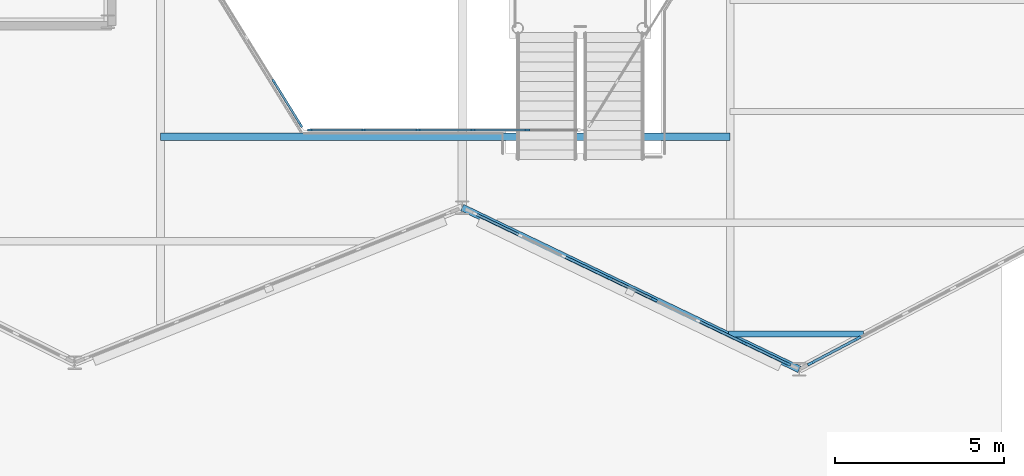
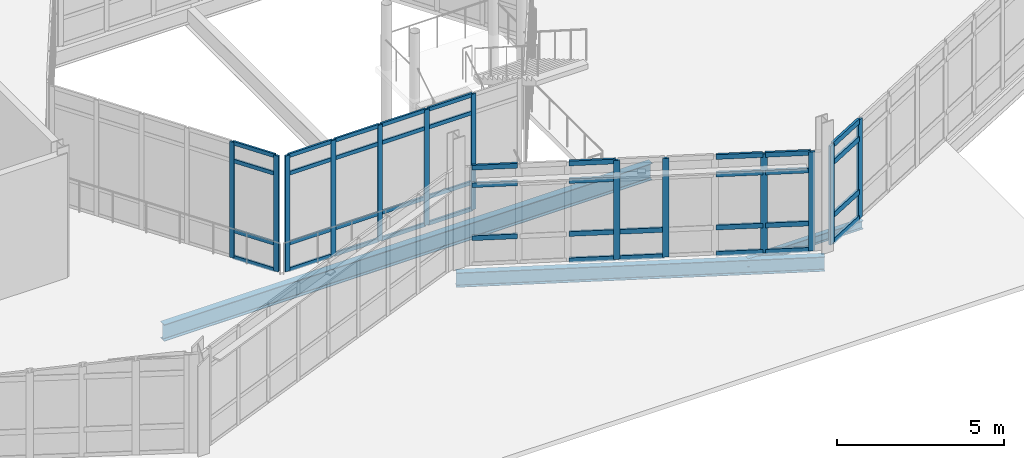
# One storey, part 38 of 134: 54 members, 3 beams, 4 elements without a shape of their own.
"""IFC4 building model written with IfcOpenShell, lengths in metres."""

from ifc_helpers import new_model, si_unit, direction, frame, origin, origin_2d, place, context, subcontext, project, spatial, rectangle, i_section, extrude, material, material_profile, profile_set, type_object, element, aggregate, save


model = new_model("IFC4")

# Units and contexts
model_context = context("Model", 3, precision=1e-05, world=origin(), true_north=direction((0.0, 1.0)))
body_context = subcontext(model_context, "Body", "Model", "MODEL_VIEW")
ifc_project = project(units=[si_unit("LENGTHUNIT", "METRE"), si_unit("AREAUNIT", "SQUARE_METRE"), si_unit("VOLUMEUNIT", "CUBIC_METRE"), si_unit("PLANEANGLEUNIT", "RADIAN"), si_unit("MASSUNIT", "GRAM", prefix="KILO")], contexts=[model_context])

# Site, building, storey
site_placement = place(None, origin())
site = spatial("IfcSite", under=ifc_project, at=site_placement, CompositionType="ELEMENT")
building_placement = place(site_placement, origin())
building = spatial("IfcBuilding", under=site, at=building_placement, Name="Tameran Prism Museum", CompositionType="ELEMENT")
storey_placement = place(building_placement, frame((0.0, 0.0, 5.39990234375)))
storey = spatial("IfcBuildingStorey", under=building, at=storey_placement, Name="L01", CompositionType="ELEMENT", Elevation=5.39990234375)

# Beams
ifc_material_1 = material(Name="Steel Grade 300PLUS (300 MPa)", Category="steel")
ifc_material_profile_1 = material_profile(ifc_material_1, i_section(OverallWidth=0.1650390625, OverallDepth=0.303955078125, WebThickness=0.006103515625, FlangeThickness=0.01025390625, FilletRadius=0.011474609375, at=origin_2d()))
ifc_profile_set_1 = profile_set([ifc_material_profile_1])
beam_type_1 = type_object("IfcBeamType", Name="BM-J310B", PredefinedType="JOIST", material=ifc_profile_set_1)
beam_1_placement = place(storey_placement, frame((85.405029296875, 23.64990234375, -0.351806640625), z_axis=(1.0, 0.0, 0.0), x_axis=(0.0, 1.0, 0.0)))
element("IfcBeam", 1, at=beam_1_placement, inside=storey, type_object=beam_type_1, Name="Floor Beam BM-0543", PredefinedType="JOIST", context=body_context, shape_type="SweptSolid", body=[
    extrude(i_section(OverallWidth=0.1650390625, OverallDepth=0.303955078125, WebThickness=0.006103515625, FlangeThickness=0.01025390625, FilletRadius=0.011474609375, at=origin_2d()), origin(), (0.0, 0.0, 1.0), 3.9970703125),
])
ifc_material_2 = material(Name="Steel Grade 300PLUS (300 MPa)", Category="steel")
ifc_material_profile_2 = material_profile(ifc_material_2, i_section(OverallWidth=0.208984375, OverallDepth=0.532958984375, WebThickness=0.01025390625, FlangeThickness=0.015625, FilletRadius=0.013916015625, at=origin_2d()))
ifc_profile_set_2 = profile_set([ifc_material_profile_2])
beam_type_2 = type_object("IfcBeamType", Name="BM-SP530A", PredefinedType="SPANDREL", material=ifc_profile_set_2)
beam_2_placement = place(storey_placement, frame((77.5, 27.39990234375, -0.46630859375), z_axis=(0.901529926538, -0.432716756732, 0.0), x_axis=(0.432716756732, 0.901529926538, 0.0)))
element("IfcBeam", 2, at=beam_2_placement, inside=storey, type_object=beam_type_2, Name="Perimeter Spandrel SP-0351", PredefinedType="SPANDREL", context=body_context, shape_type="SweptSolid", body=[
    extrude(i_section(OverallWidth=0.208984375, OverallDepth=0.532958984375, WebThickness=0.01025390625, FlangeThickness=0.015625, FilletRadius=0.013916015625, at=origin_2d()), origin(), (0.0, 0.0, 1.0), 11.09228515625),
])
ifc_material_3 = material(Name="Steel Grade 300PLUS (300 MPa)", Category="steel")
ifc_material_profile_3 = material_profile(ifc_material_3, i_section(OverallWidth=0.22900390625, OverallDepth=0.612060546875, WebThickness=0.011962890625, FlangeThickness=0.01953125, FilletRadius=0.013916015625, at=origin_2d()))
ifc_profile_set_3 = profile_set([ifc_material_profile_3])
beam_type_3 = type_object("IfcBeamType", Name="BM-UB610A", PredefinedType="BEAM", material=ifc_profile_set_3)
beam_3_placement = place(storey_placement, frame((68.550048828125, 29.5, -0.5458984375), z_axis=(1.0, 0.0, 0.0), x_axis=(0.0, 1.0, 0.0)))
element("IfcBeam", 3, at=beam_3_placement, inside=storey, type_object=beam_type_3, Name="Atrium Transverse Trimmer ATE-0494", PredefinedType="BEAM", context=body_context, shape_type="SweptSolid", body=[
    extrude(i_section(OverallWidth=0.22900390625, OverallDepth=0.612060546875, WebThickness=0.011962890625, FlangeThickness=0.01953125, FilletRadius=0.013916015625, at=origin_2d()), origin(), (0.0, 0.0, 1.0), 16.89990234375),
])

# Curtain wall, members
ifc_material_4 = material(Name="Anodised Aluminium 6063-T6 and Cyclone Solar Glass", Category="aluminium")
curtain_wall_type_1 = type_object("IfcCurtainWallType", Name="CW-ATR-769x424", PredefinedType="USERDEFINED", material=ifc_material_4)
curtain_wall_1_placement = place(storey_placement, origin())
curtain_wall_1 = element("IfcCurtainWall", 4, at=curtain_wall_1_placement, inside=storey, type_object=curtain_wall_type_1, Name="Unitised Curtain Wall CW-001", ObjectType="UNITISED CURTAIN WALL", PredefinedType="USERDEFINED")
ifc_material_5 = material(Name="Anodised Aluminium Alloy 6063-T6", Category="aluminium")
ifc_material_profile_4 = material_profile(ifc_material_5, rectangle(XDim=0.06494140625, YDim=0.159912109375, at=origin_2d()))
ifc_profile_set_4 = profile_set([ifc_material_profile_4])
member_type_1 = type_object("IfcMemberType", Name="CW-MUL-A", PredefinedType="MULLION", material=ifc_profile_set_4)
member_1_placement = place(storey_placement, frame((71.91259765625, 31.13671875, 0.0), z_axis=(0.0, 0.0, 1.0), x_axis=(0.850791158897, 0.525503952357, 0.0)))
member_1 = element("IfcMember", 5, at=member_1_placement, type_object=member_type_1, Name="CW-001 mullion 5", PredefinedType="MULLION", context=body_context, shape_type="SweptSolid", body=[
    extrude(rectangle(XDim=0.06494140625, YDim=0.159912109375, at=origin_2d()), origin(), (0.0, 0.0, 1.0), 4.239990234375),
])
member_2_placement = place(storey_placement, frame((72.703857421875, 29.855712890625, 0.0), z_axis=(0.0, 0.0, 1.0), x_axis=(0.850791158897, 0.525503952357, 0.0)))
member_2 = element("IfcMember", 6, at=member_2_placement, type_object=member_type_1, Name="CW-001 mullion 6", PredefinedType="MULLION", context=body_context, shape_type="SweptSolid", body=[
    extrude(rectangle(XDim=0.06494140625, YDim=0.159912109375, at=origin_2d()), origin(), (0.0, 0.0, 1.0), 4.239990234375),
])

ifc_material_6 = material(Name="Anodised Aluminium 6063-T6 and Cyclone Solar Glass", Category="aluminium")
curtain_wall_type_2 = type_object("IfcCurtainWallType", Name="CW-ATR-810x424", PredefinedType="USERDEFINED", material=ifc_material_6)
curtain_wall_2_placement = place(storey_placement, origin())
curtain_wall_2 = element("IfcCurtainWall", 7, at=curtain_wall_2_placement, inside=storey, type_object=curtain_wall_type_2, Name="Unitised Curtain Wall CW-002", ObjectType="UNITISED CURTAIN WALL", PredefinedType="USERDEFINED")
member_3_placement = place(storey_placement, frame((72.982421875, 29.699951171875, 0.0), z_axis=(0.0, 0.0, 1.0), x_axis=(0.0, 1.0, 0.0)))
member_3 = element("IfcMember", 8, at=member_3_placement, type_object=member_type_1, Name="CW-002 mullion 1", PredefinedType="MULLION", context=body_context, shape_type="SweptSolid", body=[
    extrude(rectangle(XDim=0.06494140625, YDim=0.159912109375, at=origin_2d()), origin(), (0.0, 0.0, 1.0), 4.239990234375),
])
member_4_placement = place(storey_placement, frame((74.570068359375, 29.699951171875, 0.0), z_axis=(0.0, 0.0, 1.0), x_axis=(0.0, 1.0, 0.0)))
member_4 = element("IfcMember", 9, at=member_4_placement, type_object=member_type_1, Name="CW-002 mullion 2", PredefinedType="MULLION", context=body_context, shape_type="SweptSolid", body=[
    extrude(rectangle(XDim=0.06494140625, YDim=0.159912109375, at=origin_2d()), origin(), (0.0, 0.0, 1.0), 4.239990234375),
])
member_5_placement = place(storey_placement, frame((76.18994140625, 29.699951171875, 0.0), z_axis=(0.0, 0.0, 1.0), x_axis=(0.0, 1.0, 0.0)))
member_5 = element("IfcMember", 10, at=member_5_placement, type_object=member_type_1, Name="CW-002 mullion 3", PredefinedType="MULLION", context=body_context, shape_type="SweptSolid", body=[
    extrude(rectangle(XDim=0.06494140625, YDim=0.159912109375, at=origin_2d()), origin(), (0.0, 0.0, 1.0), 4.239990234375),
])
member_6_placement = place(storey_placement, frame((77.81005859375, 29.699951171875, 0.0), z_axis=(0.0, 0.0, 1.0), x_axis=(0.0, 1.0, 0.0)))
member_6 = element("IfcMember", 11, at=member_6_placement, type_object=member_type_1, Name="CW-002 mullion 4", PredefinedType="MULLION", context=body_context, shape_type="SweptSolid", body=[
    extrude(rectangle(XDim=0.06494140625, YDim=0.159912109375, at=origin_2d()), origin(), (0.0, 0.0, 1.0), 4.239990234375),
])
member_7_placement = place(storey_placement, frame((79.429931640625, 29.699951171875, 0.0), z_axis=(0.0, 0.0, 1.0), x_axis=(0.0, 1.0, 0.0)))
member_7 = element("IfcMember", 12, at=member_7_placement, type_object=member_type_1, Name="CW-002 mullion 5", PredefinedType="MULLION", context=body_context, shape_type="SweptSolid", body=[
    extrude(rectangle(XDim=0.06494140625, YDim=0.159912109375, at=origin_2d()), origin(), (0.0, 0.0, 1.0), 4.239990234375),
])

ifc_material_7 = material(Name="Anodised Aluminium 6063-T6 and Cyclone Solar Glass", Category="aluminium")
curtain_wall_type_3 = type_object("IfcCurtainWallType", Name="CW-FAC-1033x362", PredefinedType="USERDEFINED", material=ifc_material_7)
curtain_wall_3_placement = place(storey_placement, origin())
curtain_wall_3 = element("IfcCurtainWall", 13, at=curtain_wall_3_placement, inside=storey, type_object=curtain_wall_type_3, Name="Unitised Curtain Wall CW-065", ObjectType="UNITISED CURTAIN WALL", PredefinedType="USERDEFINED")
ifc_material_8 = material(Name="Anodised Aluminium Alloy 6063-T6", Category="aluminium")
ifc_material_profile_5 = material_profile(ifc_material_8, rectangle(XDim=0.074951171875, YDim=0.199951171875, at=origin_2d()))
ifc_profile_set_5 = profile_set([ifc_material_profile_5])
member_type_2 = type_object("IfcMemberType", Name="CW-MUL-C", PredefinedType="MULLION", material=ifc_profile_set_5)
member_8_placement = place(storey_placement, frame((87.150146484375, 22.767333984375, 0.0), z_axis=(0.0, 0.0, 1.0), x_axis=(-0.432831753637, -0.901474721245, 0.0)))
member_8 = element("IfcMember", 14, at=member_8_placement, type_object=member_type_2, Name="CW-065 mullion 1", PredefinedType="MULLION", context=body_context, shape_type="SweptSolid", body=[
    extrude(rectangle(XDim=0.074951171875, YDim=0.199951171875, at=origin_2d()), origin(), (0.0, 0.0, 1.0), 3.6201171875),
])
member_9_placement = place(storey_placement, frame((85.853515625, 23.389892578125, 0.0), z_axis=(0.0, 0.0, 1.0), x_axis=(-0.432831753637, -0.901474721245, 0.0)))
member_9 = element("IfcMember", 15, at=member_9_placement, type_object=member_type_2, Name="CW-065 mullion 2", PredefinedType="MULLION", context=body_context, shape_type="SweptSolid", body=[
    extrude(rectangle(XDim=0.074951171875, YDim=0.199951171875, at=origin_2d()), origin(), (0.0, 0.0, 1.0), 3.6201171875),
])
member_10_placement = place(storey_placement, frame((83.1923828125, 24.66748046875, 0.0), z_axis=(0.0, 0.0, 1.0), x_axis=(-0.432831753637, -0.901474721245, 0.0)))
member_10 = element("IfcMember", 16, at=member_10_placement, type_object=member_type_2, Name="CW-065 mullion 4", PredefinedType="MULLION", context=body_context, shape_type="SweptSolid", body=[
    extrude(rectangle(XDim=0.074951171875, YDim=0.199951171875, at=origin_2d()), origin(), (0.0, 0.0, 1.0), 3.6201171875),
])
member_11_placement = place(storey_placement, frame((81.86181640625, 25.306396484375, 0.0), z_axis=(0.0, 0.0, 1.0), x_axis=(-0.432831753637, -0.901474721245, 0.0)))
member_11 = element("IfcMember", 17, at=member_11_placement, type_object=member_type_2, Name="CW-065 mullion 5", PredefinedType="MULLION", context=body_context, shape_type="SweptSolid", body=[
    extrude(rectangle(XDim=0.074951171875, YDim=0.199951171875, at=origin_2d()), origin(), (0.0, 0.0, 1.0), 3.6201171875),
])

ifc_material_9 = material(Name="Anodised Aluminium 6063-T6 and Cyclone Solar Glass", Category="aluminium")
curtain_wall_type_4 = type_object("IfcCurtainWallType", Name="CW-FAC-1123x362", PredefinedType="USERDEFINED", material=ifc_material_9)
curtain_wall_4_placement = place(storey_placement, origin())
curtain_wall_4 = element("IfcCurtainWall", 18, at=curtain_wall_4_placement, inside=storey, type_object=curtain_wall_type_4, Name="Unitised Curtain Wall CW-066", ObjectType="UNITISED CURTAIN WALL", PredefinedType="USERDEFINED")
ifc_material_10 = material(Name="Anodised Aluminium Alloy 6063-T6", Category="aluminium")
ifc_material_profile_6 = material_profile(ifc_material_10, rectangle(XDim=0.080078125, YDim=0.219970703125, at=origin_2d()))
ifc_profile_set_6 = profile_set([ifc_material_profile_6])
member_type_3 = type_object("IfcMemberType", Name="CW-MUL-D", PredefinedType="MULLION", material=ifc_profile_set_6)
member_12_placement = place(storey_placement, frame((89.2275390625, 23.512451171875, 0.0), z_axis=(0.0, 0.0, 1.0), x_axis=(0.467155185438, -0.884175340483, 0.0)))
member_12 = element("IfcMember", 19, at=member_12_placement, type_object=member_type_3, Name="CW-066 mullion 7", PredefinedType="MULLION", context=body_context, shape_type="SweptSolid", body=[
    extrude(rectangle(XDim=0.080078125, YDim=0.219970703125, at=origin_2d()), origin(), (0.0, 0.0, 1.0), 3.6201171875),
])
member_13_placement = place(storey_placement, frame((87.844482421875, 22.78173828125, 0.0), z_axis=(0.0, 0.0, 1.0), x_axis=(0.467155185438, -0.884175340483, 0.0)))
member_13 = element("IfcMember", 20, at=member_13_placement, type_object=member_type_3, Name="CW-066 mullion 8", PredefinedType="MULLION", context=body_context, shape_type="SweptSolid", body=[
    extrude(rectangle(XDim=0.080078125, YDim=0.219970703125, at=origin_2d()), origin(), (0.0, 0.0, 1.0), 3.6201171875),
])

# Member
ifc_material_11 = material(Name="Anodised Aluminium Alloy 6063-T6", Category="aluminium")
ifc_material_profile_7 = material_profile(ifc_material_11, rectangle(XDim=0.06494140625, YDim=0.139892578125, at=origin_2d()))
ifc_profile_set_7 = profile_set([ifc_material_profile_7])
member_type_4 = type_object("IfcMemberType", Name="CW-TRN-A", PredefinedType="USERDEFINED", material=ifc_profile_set_7)
member_14_placement = place(storey_placement, frame((71.9296875, 31.109130859375, 0.03271484375), z_axis=(0.525467627301, -0.850813594543, 0.0), x_axis=(0.850813594543, 0.525467627301, 0.0)))
member_14 = element("IfcMember", 21, at=member_14_placement, type_object=member_type_4, Name="CW-001 transom 5.1", ObjectType="TRANSOM", PredefinedType="USERDEFINED", context=body_context, shape_type="SweptSolid", body=[
    extrude(rectangle(XDim=0.06494140625, YDim=0.139892578125, at=origin_2d()), origin(), (0.0, 0.0, 1.0), 1.440673828125),
])

member_15_placement = place(storey_placement, frame((71.9296875, 31.109130859375, 1.0), z_axis=(0.525467627301, -0.850813594543, 0.0), x_axis=(0.850813594543, 0.525467627301, 0.0)))
member_15 = element("IfcMember", 22, at=member_15_placement, type_object=member_type_4, Name="CW-001 transom 5.2", ObjectType="TRANSOM", PredefinedType="USERDEFINED", context=body_context, shape_type="SweptSolid", body=[
    extrude(rectangle(XDim=0.06494140625, YDim=0.139892578125, at=origin_2d()), origin(), (0.0, 0.0, 1.0), 1.440673828125),
])

member_16_placement = place(storey_placement, frame((71.9296875, 31.109130859375, 3.56005859375), z_axis=(0.525467627301, -0.850813594543, 0.0), x_axis=(0.850813594543, 0.525467627301, 0.0)))
member_16 = element("IfcMember", 23, at=member_16_placement, type_object=member_type_4, Name="CW-001 transom 5.3", ObjectType="TRANSOM", PredefinedType="USERDEFINED", context=body_context, shape_type="SweptSolid", body=[
    extrude(rectangle(XDim=0.06494140625, YDim=0.139892578125, at=origin_2d()), origin(), (0.0, 0.0, 1.0), 1.440673828125),
])

member_17_placement = place(storey_placement, frame((71.9296875, 31.109130859375, 4.20751953125), z_axis=(0.525467627301, -0.850813594543, 0.0), x_axis=(0.850813594543, 0.525467627301, 0.0)))
member_17 = element("IfcMember", 24, at=member_17_placement, type_object=member_type_4, Name="CW-001 transom 5.4", ObjectType="TRANSOM", PredefinedType="USERDEFINED", context=body_context, shape_type="SweptSolid", body=[
    extrude(rectangle(XDim=0.06494140625, YDim=0.139892578125, at=origin_2d()), origin(), (0.0, 0.0, 1.0), 1.440673828125),
])

aggregate(curtain_wall_1, [member_1, member_2, member_14, member_15, member_16, member_17])

member_18_placement = place(storey_placement, frame((73.014892578125, 29.699951171875, 0.03271484375), z_axis=(1.0, 0.0, 0.0), x_axis=(0.0, 1.0, 0.0)))
member_18 = element("IfcMember", 25, at=member_18_placement, type_object=member_type_4, Name="CW-002 transom 1.1", ObjectType="TRANSOM", PredefinedType="USERDEFINED", context=body_context, shape_type="SweptSolid", body=[
    extrude(rectangle(XDim=0.06494140625, YDim=0.139892578125, at=origin_2d()), origin(), (0.0, 0.0, 1.0), 1.522705078125),
])

member_19_placement = place(storey_placement, frame((73.014892578125, 29.699951171875, 1.0), z_axis=(1.0, 0.0, 0.0), x_axis=(0.0, 1.0, 0.0)))
member_19 = element("IfcMember", 26, at=member_19_placement, type_object=member_type_4, Name="CW-002 transom 1.2", ObjectType="TRANSOM", PredefinedType="USERDEFINED", context=body_context, shape_type="SweptSolid", body=[
    extrude(rectangle(XDim=0.06494140625, YDim=0.139892578125, at=origin_2d()), origin(), (0.0, 0.0, 1.0), 1.522705078125),
])

member_20_placement = place(storey_placement, frame((73.014892578125, 29.699951171875, 3.56005859375), z_axis=(1.0, 0.0, 0.0), x_axis=(0.0, 1.0, 0.0)))
member_20 = element("IfcMember", 27, at=member_20_placement, type_object=member_type_4, Name="CW-002 transom 1.3", ObjectType="TRANSOM", PredefinedType="USERDEFINED", context=body_context, shape_type="SweptSolid", body=[
    extrude(rectangle(XDim=0.06494140625, YDim=0.139892578125, at=origin_2d()), origin(), (0.0, 0.0, 1.0), 1.522705078125),
])

member_21_placement = place(storey_placement, frame((73.014892578125, 29.699951171875, 4.20751953125), z_axis=(1.0, 0.0, 0.0), x_axis=(0.0, 1.0, 0.0)))
member_21 = element("IfcMember", 28, at=member_21_placement, type_object=member_type_4, Name="CW-002 transom 1.4", ObjectType="TRANSOM", PredefinedType="USERDEFINED", context=body_context, shape_type="SweptSolid", body=[
    extrude(rectangle(XDim=0.06494140625, YDim=0.139892578125, at=origin_2d()), origin(), (0.0, 0.0, 1.0), 1.522705078125),
])

member_22_placement = place(storey_placement, frame((74.6025390625, 29.699951171875, 0.03271484375), z_axis=(1.0, 0.0, 0.0), x_axis=(0.0, 1.0, 0.0)))
member_22 = element("IfcMember", 29, at=member_22_placement, type_object=member_type_4, Name="CW-002 transom 2.1", ObjectType="TRANSOM", PredefinedType="USERDEFINED", context=body_context, shape_type="SweptSolid", body=[
    extrude(rectangle(XDim=0.06494140625, YDim=0.139892578125, at=origin_2d()), origin(), (0.0, 0.0, 1.0), 1.554931640625),
])

member_23_placement = place(storey_placement, frame((74.6025390625, 29.699951171875, 1.0), z_axis=(1.0, 0.0, 0.0), x_axis=(0.0, 1.0, 0.0)))
member_23 = element("IfcMember", 30, at=member_23_placement, type_object=member_type_4, Name="CW-002 transom 2.2", ObjectType="TRANSOM", PredefinedType="USERDEFINED", context=body_context, shape_type="SweptSolid", body=[
    extrude(rectangle(XDim=0.06494140625, YDim=0.139892578125, at=origin_2d()), origin(), (0.0, 0.0, 1.0), 1.554931640625),
])

member_24_placement = place(storey_placement, frame((74.6025390625, 29.699951171875, 3.56005859375), z_axis=(1.0, 0.0, 0.0), x_axis=(0.0, 1.0, 0.0)))
member_24 = element("IfcMember", 31, at=member_24_placement, type_object=member_type_4, Name="CW-002 transom 2.3", ObjectType="TRANSOM", PredefinedType="USERDEFINED", context=body_context, shape_type="SweptSolid", body=[
    extrude(rectangle(XDim=0.06494140625, YDim=0.139892578125, at=origin_2d()), origin(), (0.0, 0.0, 1.0), 1.554931640625),
])

member_25_placement = place(storey_placement, frame((74.6025390625, 29.699951171875, 4.20751953125), z_axis=(1.0, 0.0, 0.0), x_axis=(0.0, 1.0, 0.0)))
member_25 = element("IfcMember", 32, at=member_25_placement, type_object=member_type_4, Name="CW-002 transom 2.4", ObjectType="TRANSOM", PredefinedType="USERDEFINED", context=body_context, shape_type="SweptSolid", body=[
    extrude(rectangle(XDim=0.06494140625, YDim=0.139892578125, at=origin_2d()), origin(), (0.0, 0.0, 1.0), 1.554931640625),
])

member_26_placement = place(storey_placement, frame((76.222412109375, 29.699951171875, 0.03271484375), z_axis=(1.0, 0.0, 0.0), x_axis=(0.0, 1.0, 0.0)))
member_26 = element("IfcMember", 33, at=member_26_placement, type_object=member_type_4, Name="CW-002 transom 3.1", ObjectType="TRANSOM", PredefinedType="USERDEFINED", context=body_context, shape_type="SweptSolid", body=[
    extrude(rectangle(XDim=0.06494140625, YDim=0.139892578125, at=origin_2d()), origin(), (0.0, 0.0, 1.0), 1.55517578125),
])

member_27_placement = place(storey_placement, frame((76.222412109375, 29.699951171875, 1.0), z_axis=(1.0, 0.0, 0.0), x_axis=(0.0, 1.0, 0.0)))
member_27 = element("IfcMember", 34, at=member_27_placement, type_object=member_type_4, Name="CW-002 transom 3.2", ObjectType="TRANSOM", PredefinedType="USERDEFINED", context=body_context, shape_type="SweptSolid", body=[
    extrude(rectangle(XDim=0.06494140625, YDim=0.139892578125, at=origin_2d()), origin(), (0.0, 0.0, 1.0), 1.55517578125),
])

member_28_placement = place(storey_placement, frame((76.222412109375, 29.699951171875, 3.56005859375), z_axis=(1.0, 0.0, 0.0), x_axis=(0.0, 1.0, 0.0)))
member_28 = element("IfcMember", 35, at=member_28_placement, type_object=member_type_4, Name="CW-002 transom 3.3", ObjectType="TRANSOM", PredefinedType="USERDEFINED", context=body_context, shape_type="SweptSolid", body=[
    extrude(rectangle(XDim=0.06494140625, YDim=0.139892578125, at=origin_2d()), origin(), (0.0, 0.0, 1.0), 1.55517578125),
])

member_29_placement = place(storey_placement, frame((76.222412109375, 29.699951171875, 4.20751953125), z_axis=(1.0, 0.0, 0.0), x_axis=(0.0, 1.0, 0.0)))
member_29 = element("IfcMember", 36, at=member_29_placement, type_object=member_type_4, Name="CW-002 transom 3.4", ObjectType="TRANSOM", PredefinedType="USERDEFINED", context=body_context, shape_type="SweptSolid", body=[
    extrude(rectangle(XDim=0.06494140625, YDim=0.139892578125, at=origin_2d()), origin(), (0.0, 0.0, 1.0), 1.55517578125),
])

member_30_placement = place(storey_placement, frame((77.842529296875, 29.699951171875, 0.03271484375), z_axis=(1.0, 0.0, 0.0), x_axis=(0.0, 1.0, 0.0)))
member_30 = element("IfcMember", 37, at=member_30_placement, type_object=member_type_4, Name="CW-002 transom 4.1", ObjectType="TRANSOM", PredefinedType="USERDEFINED", context=body_context, shape_type="SweptSolid", body=[
    extrude(rectangle(XDim=0.06494140625, YDim=0.139892578125, at=origin_2d()), origin(), (0.0, 0.0, 1.0), 1.554931640625),
])

member_31_placement = place(storey_placement, frame((77.842529296875, 29.699951171875, 1.0), z_axis=(1.0, 0.0, 0.0), x_axis=(0.0, 1.0, 0.0)))
member_31 = element("IfcMember", 38, at=member_31_placement, type_object=member_type_4, Name="CW-002 transom 4.2", ObjectType="TRANSOM", PredefinedType="USERDEFINED", context=body_context, shape_type="SweptSolid", body=[
    extrude(rectangle(XDim=0.06494140625, YDim=0.139892578125, at=origin_2d()), origin(), (0.0, 0.0, 1.0), 1.554931640625),
])

member_32_placement = place(storey_placement, frame((77.842529296875, 29.699951171875, 3.56005859375), z_axis=(1.0, 0.0, 0.0), x_axis=(0.0, 1.0, 0.0)))
member_32 = element("IfcMember", 39, at=member_32_placement, type_object=member_type_4, Name="CW-002 transom 4.3", ObjectType="TRANSOM", PredefinedType="USERDEFINED", context=body_context, shape_type="SweptSolid", body=[
    extrude(rectangle(XDim=0.06494140625, YDim=0.139892578125, at=origin_2d()), origin(), (0.0, 0.0, 1.0), 1.554931640625),
])

member_33_placement = place(storey_placement, frame((77.842529296875, 29.699951171875, 4.20751953125), z_axis=(1.0, 0.0, 0.0), x_axis=(0.0, 1.0, 0.0)))
member_33 = element("IfcMember", 40, at=member_33_placement, type_object=member_type_4, Name="CW-002 transom 4.4", ObjectType="TRANSOM", PredefinedType="USERDEFINED", context=body_context, shape_type="SweptSolid", body=[
    extrude(rectangle(XDim=0.06494140625, YDim=0.139892578125, at=origin_2d()), origin(), (0.0, 0.0, 1.0), 1.554931640625),
])

aggregate(curtain_wall_2, [member_3, member_4, member_5, member_6, member_7, member_18, member_19, member_20, member_21, member_22, member_23, member_24, member_25, member_26, member_27, member_28, member_29, member_30, member_31, member_32, member_33])

ifc_material_12 = material(Name="Anodised Aluminium Alloy 6063-T6", Category="aluminium")
ifc_material_profile_8 = material_profile(ifc_material_12, rectangle(XDim=0.074951171875, YDim=0.175048828125, at=origin_2d()))
ifc_profile_set_8 = profile_set([ifc_material_profile_8])
member_type_5 = type_object("IfcMemberType", Name="CW-TRN-C", PredefinedType="USERDEFINED", material=ifc_profile_set_8)
member_34_placement = place(storey_placement, frame((87.116455078125, 22.783447265625, 0.03759765625), z_axis=(-0.901509087026, 0.432760171468, 0.0), x_axis=(-0.432760171468, -0.901509087026, 0.0)))
member_34 = element("IfcMember", 41, at=member_34_placement, type_object=member_type_5, Name="CW-065 transom 1.1", ObjectType="TRANSOM", PredefinedType="USERDEFINED", context=body_context, shape_type="SweptSolid", body=[
    extrude(rectangle(XDim=0.074951171875, YDim=0.175048828125, at=origin_2d()), origin(), (0.0, 0.0, 1.0), 1.363525390625),
])

member_35_placement = place(storey_placement, frame((87.116455078125, 22.783447265625, 1.0), z_axis=(-0.901509087026, 0.432760171468, 0.0), x_axis=(-0.432760171468, -0.901509087026, 0.0)))
member_35 = element("IfcMember", 42, at=member_35_placement, type_object=member_type_5, Name="CW-065 transom 1.2", ObjectType="TRANSOM", PredefinedType="USERDEFINED", context=body_context, shape_type="SweptSolid", body=[
    extrude(rectangle(XDim=0.074951171875, YDim=0.175048828125, at=origin_2d()), origin(), (0.0, 0.0, 1.0), 1.363525390625),
])

member_36_placement = place(storey_placement, frame((87.116455078125, 22.783447265625, 2.940185546875), z_axis=(-0.901509087026, 0.432760171468, 0.0), x_axis=(-0.432760171468, -0.901509087026, 0.0)))
member_36 = element("IfcMember", 43, at=member_36_placement, type_object=member_type_5, Name="CW-065 transom 1.3", ObjectType="TRANSOM", PredefinedType="USERDEFINED", context=body_context, shape_type="SweptSolid", body=[
    extrude(rectangle(XDim=0.074951171875, YDim=0.175048828125, at=origin_2d()), origin(), (0.0, 0.0, 1.0), 1.363525390625),
])

member_37_placement = place(storey_placement, frame((87.116455078125, 22.783447265625, 3.58251953125), z_axis=(-0.901509087026, 0.432760171468, 0.0), x_axis=(-0.432760171468, -0.901509087026, 0.0)))
member_37 = element("IfcMember", 44, at=member_37_placement, type_object=member_type_5, Name="CW-065 transom 1.4", ObjectType="TRANSOM", PredefinedType="USERDEFINED", context=body_context, shape_type="SweptSolid", body=[
    extrude(rectangle(XDim=0.074951171875, YDim=0.175048828125, at=origin_2d()), origin(), (0.0, 0.0, 1.0), 1.363525390625),
])

member_38_placement = place(storey_placement, frame((85.819580078125, 23.406005859375, 0.03759765625), z_axis=(-0.90145778391, 0.432867027882, 0.0), x_axis=(-0.432867027882, -0.90145778391, 0.0)))
member_38 = element("IfcMember", 45, at=member_38_placement, type_object=member_type_5, Name="CW-065 transom 2.1", ObjectType="TRANSOM", PredefinedType="USERDEFINED", context=body_context, shape_type="SweptSolid", body=[
    extrude(rectangle(XDim=0.074951171875, YDim=0.175048828125, at=origin_2d()), origin(), (0.0, 0.0, 1.0), 1.40087890625),
])

member_39_placement = place(storey_placement, frame((85.819580078125, 23.406005859375, 1.0), z_axis=(-0.90145778391, 0.432867027882, 0.0), x_axis=(-0.432867027882, -0.90145778391, 0.0)))
member_39 = element("IfcMember", 46, at=member_39_placement, type_object=member_type_5, Name="CW-065 transom 2.2", ObjectType="TRANSOM", PredefinedType="USERDEFINED", context=body_context, shape_type="SweptSolid", body=[
    extrude(rectangle(XDim=0.074951171875, YDim=0.175048828125, at=origin_2d()), origin(), (0.0, 0.0, 1.0), 1.40087890625),
])

member_40_placement = place(storey_placement, frame((85.819580078125, 23.406005859375, 2.940185546875), z_axis=(-0.90145778391, 0.432867027882, 0.0), x_axis=(-0.432867027882, -0.90145778391, 0.0)))
member_40 = element("IfcMember", 47, at=member_40_placement, type_object=member_type_5, Name="CW-065 transom 2.3", ObjectType="TRANSOM", PredefinedType="USERDEFINED", context=body_context, shape_type="SweptSolid", body=[
    extrude(rectangle(XDim=0.074951171875, YDim=0.175048828125, at=origin_2d()), origin(), (0.0, 0.0, 1.0), 1.40087890625),
])

member_41_placement = place(storey_placement, frame((85.819580078125, 23.406005859375, 3.58251953125), z_axis=(-0.90145778391, 0.432867027882, 0.0), x_axis=(-0.432867027882, -0.90145778391, 0.0)))
member_41 = element("IfcMember", 48, at=member_41_placement, type_object=member_type_5, Name="CW-065 transom 2.4", ObjectType="TRANSOM", PredefinedType="USERDEFINED", context=body_context, shape_type="SweptSolid", body=[
    extrude(rectangle(XDim=0.074951171875, YDim=0.175048828125, at=origin_2d()), origin(), (0.0, 0.0, 1.0), 1.40087890625),
])

member_42_placement = place(storey_placement, frame((83.158447265625, 24.683837890625, 0.03759765625), z_axis=(-0.90145778391, 0.432867027882, 0.0), x_axis=(-0.432867027882, -0.90145778391, 0.0)))
member_42 = element("IfcMember", 49, at=member_42_placement, type_object=member_type_5, Name="CW-065 transom 4.1", ObjectType="TRANSOM", PredefinedType="USERDEFINED", context=body_context, shape_type="SweptSolid", body=[
    extrude(rectangle(XDim=0.074951171875, YDim=0.175048828125, at=origin_2d()), origin(), (0.0, 0.0, 1.0), 1.40087890625),
])

member_43_placement = place(storey_placement, frame((83.158447265625, 24.683837890625, 1.0), z_axis=(-0.90145778391, 0.432867027882, 0.0), x_axis=(-0.432867027882, -0.90145778391, 0.0)))
member_43 = element("IfcMember", 50, at=member_43_placement, type_object=member_type_5, Name="CW-065 transom 4.2", ObjectType="TRANSOM", PredefinedType="USERDEFINED", context=body_context, shape_type="SweptSolid", body=[
    extrude(rectangle(XDim=0.074951171875, YDim=0.175048828125, at=origin_2d()), origin(), (0.0, 0.0, 1.0), 1.40087890625),
])

member_44_placement = place(storey_placement, frame((81.827880859375, 25.32275390625, 0.03759765625), z_axis=(-0.90152577696, 0.432725401931, 0.0), x_axis=(-0.432725401931, -0.90152577696, 0.0)))
member_44 = element("IfcMember", 51, at=member_44_placement, type_object=member_type_5, Name="CW-065 transom 5.1", ObjectType="TRANSOM", PredefinedType="USERDEFINED", context=body_context, shape_type="SweptSolid", body=[
    extrude(rectangle(XDim=0.074951171875, YDim=0.175048828125, at=origin_2d()), origin(), (0.0, 0.0, 1.0), 1.40087890625),
])

member_45_placement = place(storey_placement, frame((81.827880859375, 25.32275390625, 1.0), z_axis=(-0.90152577696, 0.432725401931, 0.0), x_axis=(-0.432725401931, -0.90152577696, 0.0)))
member_45 = element("IfcMember", 52, at=member_45_placement, type_object=member_type_5, Name="CW-065 transom 5.2", ObjectType="TRANSOM", PredefinedType="USERDEFINED", context=body_context, shape_type="SweptSolid", body=[
    extrude(rectangle(XDim=0.074951171875, YDim=0.175048828125, at=origin_2d()), origin(), (0.0, 0.0, 1.0), 1.40087890625),
])

member_46_placement = place(storey_placement, frame((81.827880859375, 25.32275390625, 2.940185546875), z_axis=(-0.90152577696, 0.432725401931, 0.0), x_axis=(-0.432725401931, -0.90152577696, 0.0)))
member_46 = element("IfcMember", 53, at=member_46_placement, type_object=member_type_5, Name="CW-065 transom 5.3", ObjectType="TRANSOM", PredefinedType="USERDEFINED", context=body_context, shape_type="SweptSolid", body=[
    extrude(rectangle(XDim=0.074951171875, YDim=0.175048828125, at=origin_2d()), origin(), (0.0, 0.0, 1.0), 1.40087890625),
])

member_47_placement = place(storey_placement, frame((81.827880859375, 25.32275390625, 3.58251953125), z_axis=(-0.90152577696, 0.432725401931, 0.0), x_axis=(-0.432725401931, -0.90152577696, 0.0)))
member_47 = element("IfcMember", 54, at=member_47_placement, type_object=member_type_5, Name="CW-065 transom 5.4", ObjectType="TRANSOM", PredefinedType="USERDEFINED", context=body_context, shape_type="SweptSolid", body=[
    extrude(rectangle(XDim=0.074951171875, YDim=0.175048828125, at=origin_2d()), origin(), (0.0, 0.0, 1.0), 1.40087890625),
])

member_48_placement = place(storey_placement, frame((79.166748046875, 26.600341796875, 1.0), z_axis=(-0.901509087026, 0.432760171468, 0.0), x_axis=(-0.432760171468, -0.901509087026, 0.0)))
member_48 = element("IfcMember", 55, at=member_48_placement, type_object=member_type_5, Name="CW-065 transom 7.2", ObjectType="TRANSOM", PredefinedType="USERDEFINED", context=body_context, shape_type="SweptSolid", body=[
    extrude(rectangle(XDim=0.074951171875, YDim=0.175048828125, at=origin_2d()), origin(), (0.0, 0.0, 1.0), 1.363525390625),
])

member_49_placement = place(storey_placement, frame((79.166748046875, 26.600341796875, 2.940185546875), z_axis=(-0.901509087026, 0.432760171468, 0.0), x_axis=(-0.432760171468, -0.901509087026, 0.0)))
member_49 = element("IfcMember", 56, at=member_49_placement, type_object=member_type_5, Name="CW-065 transom 7.3", ObjectType="TRANSOM", PredefinedType="USERDEFINED", context=body_context, shape_type="SweptSolid", body=[
    extrude(rectangle(XDim=0.074951171875, YDim=0.175048828125, at=origin_2d()), origin(), (0.0, 0.0, 1.0), 1.363525390625),
])

member_50_placement = place(storey_placement, frame((79.166748046875, 26.600341796875, 3.58251953125), z_axis=(-0.901509087026, 0.432760171468, 0.0), x_axis=(-0.432760171468, -0.901509087026, 0.0)))
member_50 = element("IfcMember", 57, at=member_50_placement, type_object=member_type_5, Name="CW-065 transom 7.4", ObjectType="TRANSOM", PredefinedType="USERDEFINED", context=body_context, shape_type="SweptSolid", body=[
    extrude(rectangle(XDim=0.074951171875, YDim=0.175048828125, at=origin_2d()), origin(), (0.0, 0.0, 1.0), 1.363525390625),
])

aggregate(curtain_wall_3, [member_8, member_9, member_10, member_11, member_34, member_35, member_36, member_37, member_38, member_39, member_40, member_41, member_42, member_43, member_44, member_45, member_46, member_47, member_48, member_49, member_50])

ifc_material_13 = material(Name="Anodised Aluminium Alloy 6063-T6", Category="aluminium")
ifc_material_profile_9 = material_profile(ifc_material_13, rectangle(XDim=0.080078125, YDim=0.195068359375, at=origin_2d()))
ifc_profile_set_9 = profile_set([ifc_material_profile_9])
member_type_6 = type_object("IfcMemberType", Name="CW-TRN-D", PredefinedType="USERDEFINED", material=ifc_profile_set_9)
member_51_placement = place(storey_placement, frame((89.192138671875, 23.49365234375, 0.0400390625), z_axis=(-0.884203637637, -0.467101624049, 0.0), x_axis=(0.467101624049, -0.884203637637, 0.0)))
member_51 = element("IfcMember", 58, at=member_51_placement, type_object=member_type_6, Name="CW-066 transom 7.1", ObjectType="TRANSOM", PredefinedType="USERDEFINED", context=body_context, shape_type="SweptSolid", body=[
    extrude(rectangle(XDim=0.080078125, YDim=0.195068359375, at=origin_2d()), origin(), (0.0, 0.0, 1.0), 1.484375),
])

member_52_placement = place(storey_placement, frame((89.192138671875, 23.49365234375, 1.0), z_axis=(-0.884203637637, -0.467101624049, 0.0), x_axis=(0.467101624049, -0.884203637637, 0.0)))
member_52 = element("IfcMember", 59, at=member_52_placement, type_object=member_type_6, Name="CW-066 transom 7.2", ObjectType="TRANSOM", PredefinedType="USERDEFINED", context=body_context, shape_type="SweptSolid", body=[
    extrude(rectangle(XDim=0.080078125, YDim=0.195068359375, at=origin_2d()), origin(), (0.0, 0.0, 1.0), 1.484375),
])

member_53_placement = place(storey_placement, frame((89.192138671875, 23.49365234375, 2.940185546875), z_axis=(-0.884203637637, -0.467101624049, 0.0), x_axis=(0.467101624049, -0.884203637637, 0.0)))
member_53 = element("IfcMember", 60, at=member_53_placement, type_object=member_type_6, Name="CW-066 transom 7.3", ObjectType="TRANSOM", PredefinedType="USERDEFINED", context=body_context, shape_type="SweptSolid", body=[
    extrude(rectangle(XDim=0.080078125, YDim=0.195068359375, at=origin_2d()), origin(), (0.0, 0.0, 1.0), 1.484375),
])

member_54_placement = place(storey_placement, frame((89.192138671875, 23.49365234375, 3.580078125), z_axis=(-0.884203637637, -0.467101624049, 0.0), x_axis=(0.467101624049, -0.884203637637, 0.0)))
member_54 = element("IfcMember", 61, at=member_54_placement, type_object=member_type_6, Name="CW-066 transom 7.4", ObjectType="TRANSOM", PredefinedType="USERDEFINED", context=body_context, shape_type="SweptSolid", body=[
    extrude(rectangle(XDim=0.080078125, YDim=0.195068359375, at=origin_2d()), origin(), (0.0, 0.0, 1.0), 1.484375),
])

aggregate(curtain_wall_4, [member_12, member_13, member_51, member_52, member_53, member_54])

save(model, "model.ifc")
